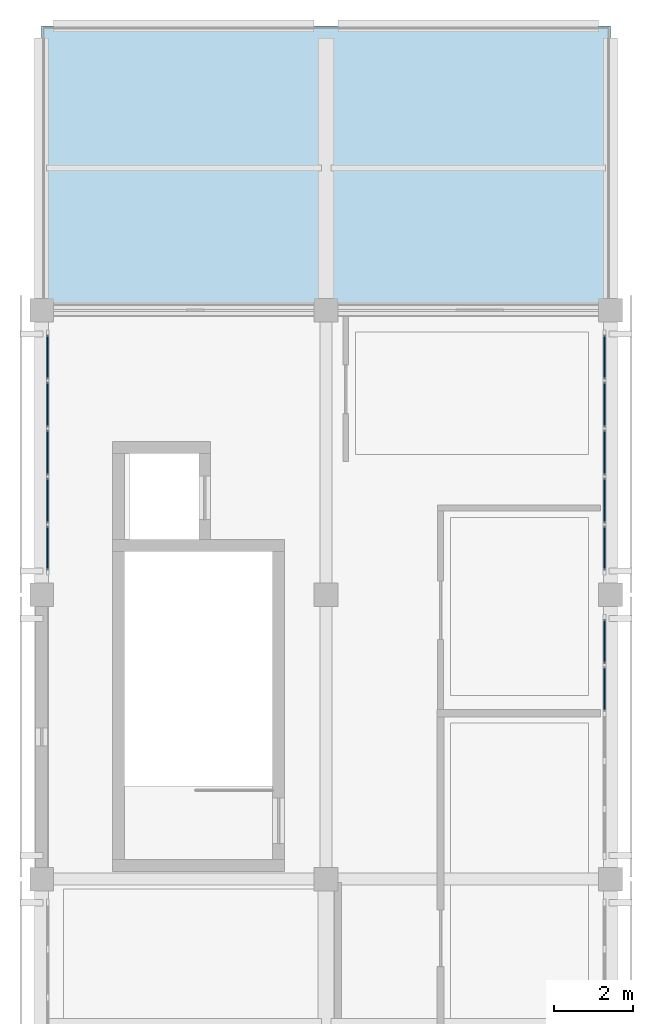
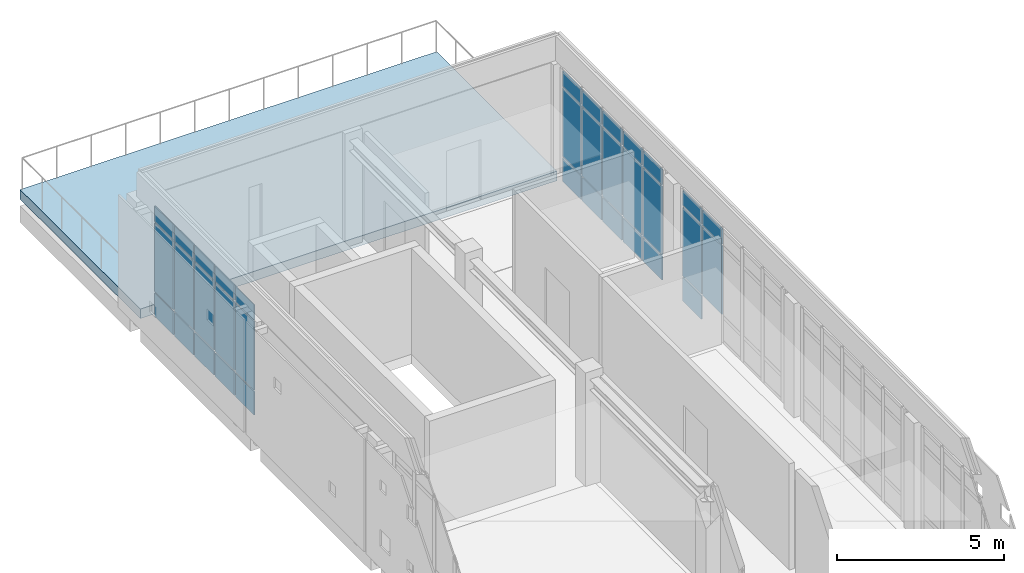
# One storey, part 13 of 19: 35 plates, 1 slab, 3 elements without a shape of their own.
"""IFC4 building model written with IfcOpenShell, lengths in metres."""

from ifc_helpers import new_model, si_unit, direction, frame, origin, origin_2d, place, context, subcontext, project, spatial, polyline, rectangle, outline, extrude, material, layer, layer_set, type_object, element, aggregate, save


model = new_model("IFC4")

# Units and contexts
model_context = context("Model", 3, precision=1e-05, world=origin(), true_north=direction((0.0, 1.0)))
body_context = subcontext(model_context, "Body", "Model", "MODEL_VIEW")
ifc_project = project(units=[si_unit("LENGTHUNIT", "METRE"), si_unit("AREAUNIT", "SQUARE_METRE"), si_unit("VOLUMEUNIT", "CUBIC_METRE"), si_unit("PLANEANGLEUNIT", "RADIAN"), si_unit("MASSUNIT", "GRAM", prefix="KILO")], contexts=[model_context])

# Site, building, storey
site_placement = place(None, origin())
site = spatial("IfcSite", under=ifc_project, at=site_placement, CompositionType="ELEMENT")
building_placement = place(site_placement, origin())
building = spatial("IfcBuilding", under=site, at=building_placement, Name="Valkovuoma Quantum and Materials Research Institute", CompositionType="ELEMENT")
storey_placement = place(building_placement, frame((0.0, 0.0, 38.080078125)))
storey = spatial("IfcBuildingStorey", under=building, at=storey_placement, Name="L09", CompositionType="ELEMENT", Elevation=38.080078125)

# Curtain wall, plates
ifc_material_1 = material(Name="Thermally broken aluminium and triple low-E glazing", Category="aluminium")
ifc_layer_1 = layer(ifc_material_1, 0.219970703125)
ifc_layer_set_1 = layer_set([ifc_layer_1], Name="Thermally broken aluminium and triple low-E glazing")
curtain_wall_type = type_object("IfcCurtainWallType", Name="CW-CW-01", PredefinedType="NOTDEFINED", material=ifc_layer_set_1)
curtain_wall_1_placement = place(storey_placement, origin())
curtain_wall_1 = element("IfcCurtainWall", 1, at=curtain_wall_1_placement, inside=storey, type_object=curtain_wall_type, Name="L09 curtain wall 141", PredefinedType="NOTDEFINED")
ifc_material_2 = material(Name="Triple low-E argon insulating glass", Category="glass")
ifc_layer_2 = layer(ifc_material_2, 0.035888671875)
ifc_layer_set_2 = layer_set([ifc_layer_2], Name="Triple low-E argon insulating glass")
plate_type_1 = type_object("IfcPlateType", Name="CWPanel-CWP-01", PredefinedType="CURTAIN_PANEL", material=ifc_layer_set_2)
plate_1_placement = place(storey_placement, frame((0.14990234375, 80.3818359375, 0.06494140625), z_axis=(0.0, 0.0, 1.0), x_axis=(0.0, 1.0, 0.0)))
plate_1 = element("IfcPlate", 2, at=plate_1_placement, type_object=plate_type_1, Name="CW-01 panel 1.1", PredefinedType="CURTAIN_PANEL", context=body_context, shape_type="SweptSolid", body=[
    extrude(rectangle(XDim=1.11962890625, YDim=0.035888671875, at=origin_2d()), origin(), (0.0, 0.0, 1.0), 0.8525390625),
])
plate_2_placement = place(storey_placement, frame((0.14990234375, 80.3818359375, 0.982421875), z_axis=(0.0, 0.0, 1.0), x_axis=(0.0, 1.0, 0.0)))
plate_2 = element("IfcPlate", 3, at=plate_2_placement, type_object=plate_type_1, Name="CW-01 panel 1.2", PredefinedType="CURTAIN_PANEL", context=body_context, shape_type="SweptSolid", body=[
    extrude(rectangle(XDim=1.11962890625, YDim=0.035888671875, at=origin_2d()), origin(), (0.0, 0.0, 1.0), 2.4951171875),
])
plate_3_placement = place(storey_placement, frame((0.14990234375, 80.3818359375, 3.54248046875), z_axis=(0.0, 0.0, 1.0), x_axis=(0.0, 1.0, 0.0)))
plate_3 = element("IfcPlate", 4, at=plate_3_placement, type_object=plate_type_1, Name="CW-01 panel 1.3", PredefinedType="CURTAIN_PANEL", context=body_context, shape_type="SweptSolid", body=[
    extrude(rectangle(XDim=1.11962890625, YDim=0.035888671875, at=origin_2d()), origin(), (0.0, 0.0, 1.0), 0.552490234375),
])
plate_4_placement = place(storey_placement, frame((0.14990234375, 81.582763671875, 0.06494140625), z_axis=(0.0, 0.0, 1.0), x_axis=(0.0, 1.0, 0.0)))
plate_4 = element("IfcPlate", 5, at=plate_4_placement, type_object=plate_type_1, Name="CW-01 panel 2.1", PredefinedType="CURTAIN_PANEL", context=body_context, shape_type="SweptSolid", body=[
    extrude(rectangle(XDim=1.152099609375, YDim=0.035888671875, at=origin_2d()), origin(), (0.0, 0.0, 1.0), 0.8525390625),
])
plate_5_placement = place(storey_placement, frame((0.14990234375, 81.582763671875, 0.982421875), z_axis=(0.0, 0.0, 1.0), x_axis=(0.0, 1.0, 0.0)))
plate_5 = element("IfcPlate", 6, at=plate_5_placement, type_object=plate_type_1, Name="CW-01 panel 2.2", PredefinedType="CURTAIN_PANEL", context=body_context, shape_type="SweptSolid", body=[
    extrude(rectangle(XDim=1.152099609375, YDim=0.035888671875, at=origin_2d()), origin(), (0.0, 0.0, 1.0), 2.4951171875),
])
plate_6_placement = place(storey_placement, frame((0.14990234375, 81.582763671875, 3.54248046875), z_axis=(0.0, 0.0, 1.0), x_axis=(0.0, 1.0, 0.0)))
plate_6 = element("IfcPlate", 7, at=plate_6_placement, type_object=plate_type_1, Name="CW-01 panel 2.3", PredefinedType="CURTAIN_PANEL", context=body_context, shape_type="SweptSolid", body=[
    extrude(rectangle(XDim=1.152099609375, YDim=0.035888671875, at=origin_2d()), origin(), (0.0, 0.0, 1.0), 0.552490234375),
])
plate_7_placement = place(storey_placement, frame((0.14990234375, 82.800048828125, 0.06494140625), z_axis=(0.0, 0.0, 1.0), x_axis=(0.0, 1.0, 0.0)))
plate_7 = element("IfcPlate", 8, at=plate_7_placement, type_object=plate_type_1, Name="CW-01 panel 3.1", PredefinedType="CURTAIN_PANEL", context=body_context, shape_type="SweptSolid", body=[
    extrude(rectangle(XDim=1.152099609375, YDim=0.035888671875, at=origin_2d()), origin(), (0.0, 0.0, 1.0), 0.8525390625),
])
plate_8_placement = place(storey_placement, frame((0.14990234375, 82.800048828125, 0.982421875), z_axis=(0.0, 0.0, 1.0), x_axis=(0.0, 1.0, 0.0)))
plate_8 = element("IfcPlate", 9, at=plate_8_placement, type_object=plate_type_1, Name="CW-01 panel 3.2", PredefinedType="CURTAIN_PANEL", context=body_context, shape_type="SweptSolid", body=[
    extrude(rectangle(XDim=1.152099609375, YDim=0.035888671875, at=origin_2d()), origin(), (0.0, 0.0, 1.0), 2.4951171875),
])
plate_9_placement = place(storey_placement, frame((0.14990234375, 82.800048828125, 3.54248046875), z_axis=(0.0, 0.0, 1.0), x_axis=(0.0, 1.0, 0.0)))
plate_9 = element("IfcPlate", 10, at=plate_9_placement, type_object=plate_type_1, Name="CW-01 panel 3.3", PredefinedType="CURTAIN_PANEL", context=body_context, shape_type="SweptSolid", body=[
    extrude(rectangle(XDim=1.152099609375, YDim=0.035888671875, at=origin_2d()), origin(), (0.0, 0.0, 1.0), 0.552490234375),
])
plate_10_placement = place(storey_placement, frame((0.14990234375, 84.01708984375, 0.06494140625), z_axis=(0.0, 0.0, 1.0), x_axis=(0.0, 1.0, 0.0)))
plate_10 = element("IfcPlate", 11, at=plate_10_placement, type_object=plate_type_1, Name="CW-01 panel 4.1", PredefinedType="CURTAIN_PANEL", context=body_context, shape_type="SweptSolid", body=[
    extrude(rectangle(XDim=1.152099609375, YDim=0.035888671875, at=origin_2d()), origin(), (0.0, 0.0, 1.0), 0.8525390625),
])
plate_11_placement = place(storey_placement, frame((0.14990234375, 84.01708984375, 0.982421875), z_axis=(0.0, 0.0, 1.0), x_axis=(0.0, 1.0, 0.0)))
plate_11 = element("IfcPlate", 12, at=plate_11_placement, type_object=plate_type_1, Name="CW-01 panel 4.2", PredefinedType="CURTAIN_PANEL", context=body_context, shape_type="SweptSolid", body=[
    extrude(rectangle(XDim=1.152099609375, YDim=0.035888671875, at=origin_2d()), origin(), (0.0, 0.0, 1.0), 2.4951171875),
])
plate_12_placement = place(storey_placement, frame((0.14990234375, 84.01708984375, 3.54248046875), z_axis=(0.0, 0.0, 1.0), x_axis=(0.0, 1.0, 0.0)))
plate_12 = element("IfcPlate", 13, at=plate_12_placement, type_object=plate_type_1, Name="CW-01 panel 4.3", PredefinedType="CURTAIN_PANEL", context=body_context, shape_type="SweptSolid", body=[
    extrude(rectangle(XDim=1.152099609375, YDim=0.035888671875, at=origin_2d()), origin(), (0.0, 0.0, 1.0), 0.552490234375),
])
plate_13_placement = place(storey_placement, frame((0.14990234375, 85.218017578125, 0.06494140625), z_axis=(0.0, 0.0, 1.0), x_axis=(0.0, 1.0, 0.0)))
plate_13 = element("IfcPlate", 14, at=plate_13_placement, type_object=plate_type_1, Name="CW-01 panel 5.1", PredefinedType="CURTAIN_PANEL", context=body_context, shape_type="SweptSolid", body=[
    extrude(rectangle(XDim=1.11962890625, YDim=0.035888671875, at=origin_2d()), origin(), (0.0, 0.0, 1.0), 0.8525390625),
])
plate_14_placement = place(storey_placement, frame((0.14990234375, 85.218017578125, 0.982421875), z_axis=(0.0, 0.0, 1.0), x_axis=(0.0, 1.0, 0.0)))
plate_14 = element("IfcPlate", 15, at=plate_14_placement, type_object=plate_type_1, Name="CW-01 panel 5.2", PredefinedType="CURTAIN_PANEL", context=body_context, shape_type="SweptSolid", body=[
    extrude(rectangle(XDim=1.11962890625, YDim=0.035888671875, at=origin_2d()), origin(), (0.0, 0.0, 1.0), 2.4951171875),
])
plate_15_placement = place(storey_placement, frame((0.14990234375, 85.218017578125, 3.54248046875), z_axis=(0.0, 0.0, 1.0), x_axis=(0.0, 1.0, 0.0)))
plate_15 = element("IfcPlate", 16, at=plate_15_placement, type_object=plate_type_1, Name="CW-01 panel 5.3", PredefinedType="CURTAIN_PANEL", context=body_context, shape_type="SweptSolid", body=[
    extrude(rectangle(XDim=1.11962890625, YDim=0.035888671875, at=origin_2d()), origin(), (0.0, 0.0, 1.0), 0.552490234375),
])
aggregate(curtain_wall_1, [plate_1, plate_2, plate_3, plate_4, plate_5, plate_6, plate_7, plate_8, plate_9, plate_10, plate_11, plate_12, plate_13, plate_14, plate_15])

curtain_wall_2_placement = place(storey_placement, origin())
curtain_wall_2 = element("IfcCurtainWall", 17, at=curtain_wall_2_placement, inside=storey, type_object=curtain_wall_type, Name="L09 curtain wall 140", PredefinedType="NOTDEFINED")
ifc_material_3 = material(Name="Triple low-E argon insulating glass", Category="glass")
ifc_layer_3 = layer(ifc_material_3, 0.0419921875)
ifc_layer_set_3 = layer_set([ifc_layer_3], Name="Triple low-E argon insulating glass")
plate_type_2 = type_object("IfcPlateType", Name="CWPanel-CWP-02", PredefinedType="CURTAIN_PANEL", material=ifc_layer_set_3)
plate_16_placement = place(storey_placement, frame((14.25, 76.817138671875, 0.982421875), z_axis=(0.0, 0.0, 1.0), x_axis=(0.0, 1.0, 0.0)))
plate_16 = element("IfcPlate", 18, at=plate_16_placement, type_object=plate_type_2, Name="CW-01 panel 4.2", PredefinedType="CURTAIN_PANEL", context=body_context, shape_type="SweptSolid", body=[
    extrude(rectangle(XDim=1.152099609375, YDim=0.0419921875, at=origin_2d()), origin(), (0.0, 0.0, 1.0), 2.4951171875),
])
plate_17_placement = place(storey_placement, frame((14.25, 76.817138671875, 3.54248046875), z_axis=(0.0, 0.0, 1.0), x_axis=(0.0, 1.0, 0.0)))
plate_17 = element("IfcPlate", 19, at=plate_17_placement, type_object=plate_type_2, Name="CW-01 panel 4.3", PredefinedType="CURTAIN_PANEL", context=body_context, shape_type="SweptSolid", body=[
    extrude(rectangle(XDim=1.152099609375, YDim=0.0419921875, at=origin_2d()), origin(), (0.0, 0.0, 1.0), 0.552490234375),
])
plate_18_placement = place(storey_placement, frame((14.25, 78.01806640625, 0.06494140625), z_axis=(0.0, 0.0, 1.0), x_axis=(0.0, 1.0, 0.0)))
plate_18 = element("IfcPlate", 20, at=plate_18_placement, type_object=plate_type_2, Name="CW-01 panel 5.1", PredefinedType="CURTAIN_PANEL", context=body_context, shape_type="SweptSolid", body=[
    extrude(rectangle(XDim=1.11962890625, YDim=0.0419921875, at=origin_2d()), origin(), (0.0, 0.0, 1.0), 0.8525390625),
])
plate_19_placement = place(storey_placement, frame((14.25, 78.01806640625, 0.982421875), z_axis=(0.0, 0.0, 1.0), x_axis=(0.0, 1.0, 0.0)))
plate_19 = element("IfcPlate", 21, at=plate_19_placement, type_object=plate_type_2, Name="CW-01 panel 5.2", PredefinedType="CURTAIN_PANEL", context=body_context, shape_type="SweptSolid", body=[
    extrude(rectangle(XDim=1.11962890625, YDim=0.0419921875, at=origin_2d()), origin(), (0.0, 0.0, 1.0), 2.4951171875),
])
plate_20_placement = place(storey_placement, frame((14.25, 78.01806640625, 3.54248046875), z_axis=(0.0, 0.0, 1.0), x_axis=(0.0, 1.0, 0.0)))
plate_20 = element("IfcPlate", 22, at=plate_20_placement, type_object=plate_type_2, Name="CW-01 panel 5.3", PredefinedType="CURTAIN_PANEL", context=body_context, shape_type="SweptSolid", body=[
    extrude(rectangle(XDim=1.11962890625, YDim=0.0419921875, at=origin_2d()), origin(), (0.0, 0.0, 1.0), 0.552490234375),
])
aggregate(curtain_wall_2, [plate_16, plate_17, plate_18, plate_19, plate_20])

curtain_wall_3_placement = place(storey_placement, origin())
curtain_wall_3 = element("IfcCurtainWall", 23, at=curtain_wall_3_placement, inside=storey, type_object=curtain_wall_type, Name="L09 curtain wall 142", PredefinedType="NOTDEFINED")
plate_21_placement = place(storey_placement, frame((14.25, 80.3818359375, 0.06494140625), z_axis=(0.0, 0.0, 1.0), x_axis=(0.0, 1.0, 0.0)))
plate_21 = element("IfcPlate", 24, at=plate_21_placement, type_object=plate_type_2, Name="CW-01 panel 1.1", PredefinedType="CURTAIN_PANEL", context=body_context, shape_type="SweptSolid", body=[
    extrude(rectangle(XDim=1.11962890625, YDim=0.0419921875, at=origin_2d()), origin(), (0.0, 0.0, 1.0), 0.8525390625),
])
plate_22_placement = place(storey_placement, frame((14.25, 80.3818359375, 0.982421875), z_axis=(0.0, 0.0, 1.0), x_axis=(0.0, 1.0, 0.0)))
plate_22 = element("IfcPlate", 25, at=plate_22_placement, type_object=plate_type_2, Name="CW-01 panel 1.2", PredefinedType="CURTAIN_PANEL", context=body_context, shape_type="SweptSolid", body=[
    extrude(rectangle(XDim=1.11962890625, YDim=0.0419921875, at=origin_2d()), origin(), (0.0, 0.0, 1.0), 2.4951171875),
])
plate_23_placement = place(storey_placement, frame((14.25, 80.3818359375, 3.54248046875), z_axis=(0.0, 0.0, 1.0), x_axis=(0.0, 1.0, 0.0)))
plate_23 = element("IfcPlate", 26, at=plate_23_placement, type_object=plate_type_2, Name="CW-01 panel 1.3", PredefinedType="CURTAIN_PANEL", context=body_context, shape_type="SweptSolid", body=[
    extrude(rectangle(XDim=1.11962890625, YDim=0.0419921875, at=origin_2d()), origin(), (0.0, 0.0, 1.0), 0.552490234375),
])
plate_24_placement = place(storey_placement, frame((14.25, 81.582763671875, 0.06494140625), z_axis=(0.0, 0.0, 1.0), x_axis=(0.0, 1.0, 0.0)))
plate_24 = element("IfcPlate", 27, at=plate_24_placement, type_object=plate_type_2, Name="CW-01 panel 2.1", PredefinedType="CURTAIN_PANEL", context=body_context, shape_type="SweptSolid", body=[
    extrude(rectangle(XDim=1.152099609375, YDim=0.0419921875, at=origin_2d()), origin(), (0.0, 0.0, 1.0), 0.8525390625),
])
plate_25_placement = place(storey_placement, frame((14.25, 81.582763671875, 0.982421875), z_axis=(0.0, 0.0, 1.0), x_axis=(0.0, 1.0, 0.0)))
plate_25 = element("IfcPlate", 28, at=plate_25_placement, type_object=plate_type_2, Name="CW-01 panel 2.2", PredefinedType="CURTAIN_PANEL", context=body_context, shape_type="SweptSolid", body=[
    extrude(rectangle(XDim=1.152099609375, YDim=0.0419921875, at=origin_2d()), origin(), (0.0, 0.0, 1.0), 2.4951171875),
])
plate_26_placement = place(storey_placement, frame((14.25, 81.582763671875, 3.54248046875), z_axis=(0.0, 0.0, 1.0), x_axis=(0.0, 1.0, 0.0)))
plate_26 = element("IfcPlate", 29, at=plate_26_placement, type_object=plate_type_2, Name="CW-01 panel 2.3", PredefinedType="CURTAIN_PANEL", context=body_context, shape_type="SweptSolid", body=[
    extrude(rectangle(XDim=1.152099609375, YDim=0.0419921875, at=origin_2d()), origin(), (0.0, 0.0, 1.0), 0.552490234375),
])
plate_27_placement = place(storey_placement, frame((14.25, 82.800048828125, 0.06494140625), z_axis=(0.0, 0.0, 1.0), x_axis=(0.0, 1.0, 0.0)))
plate_27 = element("IfcPlate", 30, at=plate_27_placement, type_object=plate_type_2, Name="CW-01 panel 3.1", PredefinedType="CURTAIN_PANEL", context=body_context, shape_type="SweptSolid", body=[
    extrude(rectangle(XDim=1.152099609375, YDim=0.0419921875, at=origin_2d()), origin(), (0.0, 0.0, 1.0), 0.8525390625),
])
plate_28_placement = place(storey_placement, frame((14.25, 82.800048828125, 0.982421875), z_axis=(0.0, 0.0, 1.0), x_axis=(0.0, 1.0, 0.0)))
plate_28 = element("IfcPlate", 31, at=plate_28_placement, type_object=plate_type_2, Name="CW-01 panel 3.2", PredefinedType="CURTAIN_PANEL", context=body_context, shape_type="SweptSolid", body=[
    extrude(rectangle(XDim=1.152099609375, YDim=0.0419921875, at=origin_2d()), origin(), (0.0, 0.0, 1.0), 2.4951171875),
])
plate_29_placement = place(storey_placement, frame((14.25, 82.800048828125, 3.54248046875), z_axis=(0.0, 0.0, 1.0), x_axis=(0.0, 1.0, 0.0)))
plate_29 = element("IfcPlate", 32, at=plate_29_placement, type_object=plate_type_2, Name="CW-01 panel 3.3", PredefinedType="CURTAIN_PANEL", context=body_context, shape_type="SweptSolid", body=[
    extrude(rectangle(XDim=1.152099609375, YDim=0.0419921875, at=origin_2d()), origin(), (0.0, 0.0, 1.0), 0.552490234375),
])
plate_30_placement = place(storey_placement, frame((14.25, 84.01708984375, 0.06494140625), z_axis=(0.0, 0.0, 1.0), x_axis=(0.0, 1.0, 0.0)))
plate_30 = element("IfcPlate", 33, at=plate_30_placement, type_object=plate_type_2, Name="CW-01 panel 4.1", PredefinedType="CURTAIN_PANEL", context=body_context, shape_type="SweptSolid", body=[
    extrude(rectangle(XDim=1.152099609375, YDim=0.0419921875, at=origin_2d()), origin(), (0.0, 0.0, 1.0), 0.8525390625),
])
plate_31_placement = place(storey_placement, frame((14.25, 84.01708984375, 0.982421875), z_axis=(0.0, 0.0, 1.0), x_axis=(0.0, 1.0, 0.0)))
plate_31 = element("IfcPlate", 34, at=plate_31_placement, type_object=plate_type_2, Name="CW-01 panel 4.2", PredefinedType="CURTAIN_PANEL", context=body_context, shape_type="SweptSolid", body=[
    extrude(rectangle(XDim=1.152099609375, YDim=0.0419921875, at=origin_2d()), origin(), (0.0, 0.0, 1.0), 2.4951171875),
])
plate_32_placement = place(storey_placement, frame((14.25, 84.01708984375, 3.54248046875), z_axis=(0.0, 0.0, 1.0), x_axis=(0.0, 1.0, 0.0)))
plate_32 = element("IfcPlate", 35, at=plate_32_placement, type_object=plate_type_2, Name="CW-01 panel 4.3", PredefinedType="CURTAIN_PANEL", context=body_context, shape_type="SweptSolid", body=[
    extrude(rectangle(XDim=1.152099609375, YDim=0.0419921875, at=origin_2d()), origin(), (0.0, 0.0, 1.0), 0.552490234375),
])
plate_33_placement = place(storey_placement, frame((14.25, 85.218017578125, 0.06494140625), z_axis=(0.0, 0.0, 1.0), x_axis=(0.0, 1.0, 0.0)))
plate_33 = element("IfcPlate", 36, at=plate_33_placement, type_object=plate_type_2, Name="CW-01 panel 5.1", PredefinedType="CURTAIN_PANEL", context=body_context, shape_type="SweptSolid", body=[
    extrude(rectangle(XDim=1.11962890625, YDim=0.0419921875, at=origin_2d()), origin(), (0.0, 0.0, 1.0), 0.8525390625),
])
plate_34_placement = place(storey_placement, frame((14.25, 85.218017578125, 0.982421875), z_axis=(0.0, 0.0, 1.0), x_axis=(0.0, 1.0, 0.0)))
plate_34 = element("IfcPlate", 37, at=plate_34_placement, type_object=plate_type_2, Name="CW-01 panel 5.2", PredefinedType="CURTAIN_PANEL", context=body_context, shape_type="SweptSolid", body=[
    extrude(rectangle(XDim=1.11962890625, YDim=0.0419921875, at=origin_2d()), origin(), (0.0, 0.0, 1.0), 2.4951171875),
])
plate_35_placement = place(storey_placement, frame((14.25, 85.218017578125, 3.54248046875), z_axis=(0.0, 0.0, 1.0), x_axis=(0.0, 1.0, 0.0)))
plate_35 = element("IfcPlate", 38, at=plate_35_placement, type_object=plate_type_2, Name="CW-01 panel 5.3", PredefinedType="CURTAIN_PANEL", context=body_context, shape_type="SweptSolid", body=[
    extrude(rectangle(XDim=1.11962890625, YDim=0.0419921875, at=origin_2d()), origin(), (0.0, 0.0, 1.0), 0.552490234375),
])
aggregate(curtain_wall_3, [plate_21, plate_22, plate_23, plate_24, plate_25, plate_26, plate_27, plate_28, plate_29, plate_30, plate_31, plate_32, plate_33, plate_34, plate_35])

# Slab
ifc_material_4 = material(Name="Concrete C40/50", Category="concrete")
ifc_layer_4 = layer(ifc_material_4, 0.35009765625)
ifc_layer_set_4 = layer_set([ifc_layer_4], Name="Concrete C40/50")
slab_type = type_object("IfcSlabType", Name="Slab-SL-TER350", PredefinedType="FLOOR", material=ifc_layer_set_4)
slab_placement = place(storey_placement, frame((0.0, 0.0, -0.35009765625)))
element("IfcSlab", 39, at=slab_placement, inside=storey, type_object=slab_type, Name="L09 outdoor deck TERR_DRY_NORTH", PredefinedType="FLOOR", context=body_context, shape_type="SweptSolid", body=[
    extrude(outline(polyline([(0.0, 86.39990234375), (14.39990234375, 86.39990234375), (14.39990234375, 93.60009765625), (0.0, 93.60009765625), (0.0, 86.39990234375)])), origin(), (0.0, 0.0, 1.0), 0.35009765625),
])

save(model, "model.ifc")
